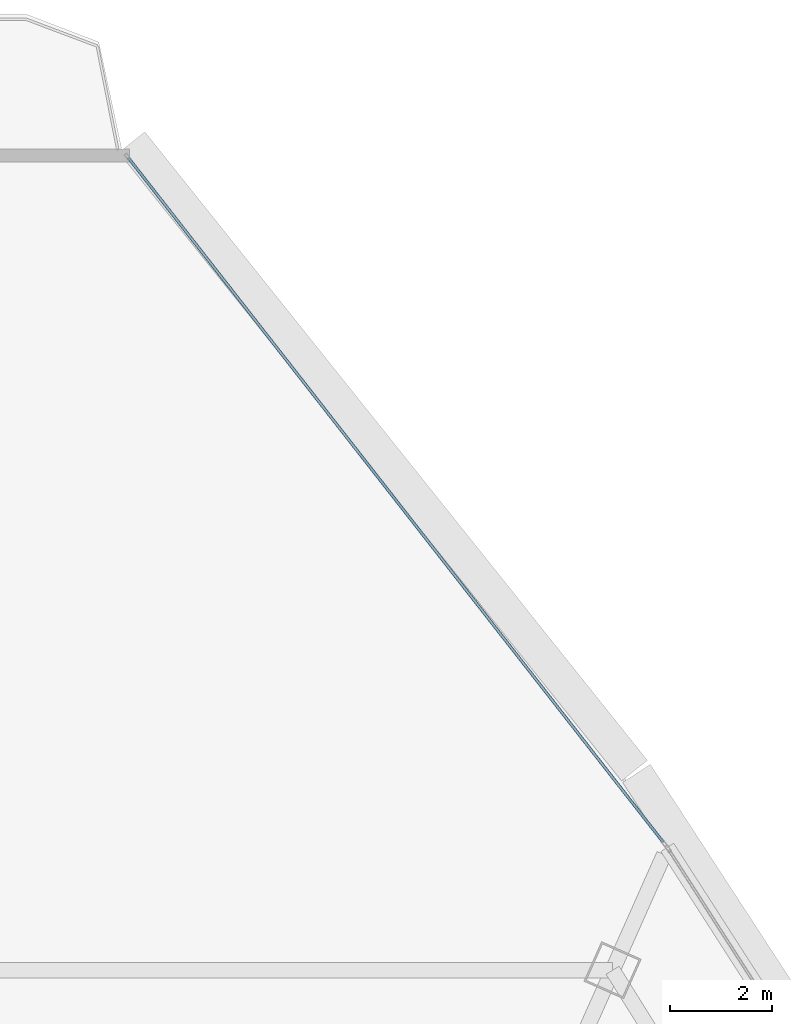
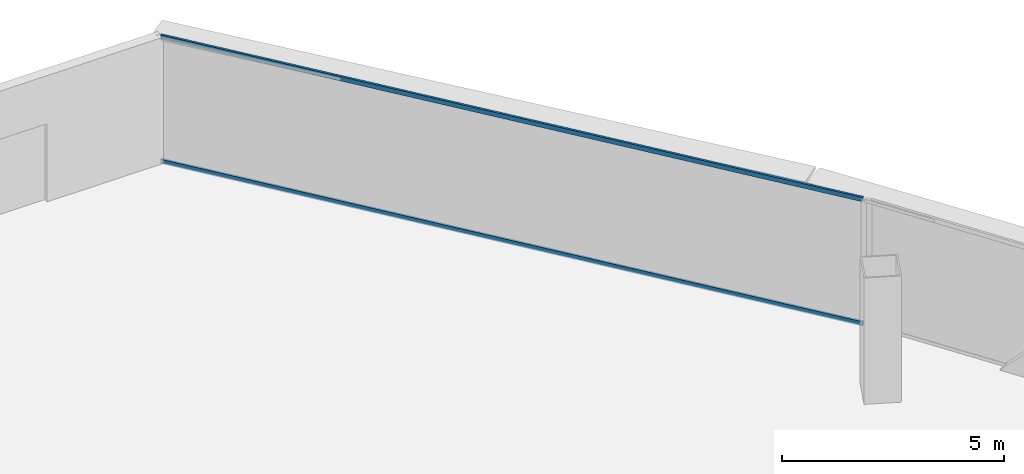
# One storey, part 24 of 36: 2 members, 1 element without a shape of its own.
"""IFC4 building model written with IfcOpenShell, lengths in metres."""

from ifc_helpers import new_model, si_unit, direction, frame, origin, origin_2d, place, context, subcontext, project, spatial, hollow_rectangle, extrude, source, transform, mapped, material, layer, layer_set, material_profile, profile_set, type_object, element, aggregate, save


model = new_model("IFC4")

# Units and contexts
model_context = context("Model", 3, precision=1e-05, world=origin(), true_north=direction((0.0, 1.0)))
body_context = subcontext(model_context, "Body", "Model", "MODEL_VIEW")
ifc_project = project(units=[si_unit("LENGTHUNIT", "METRE"), si_unit("AREAUNIT", "SQUARE_METRE"), si_unit("VOLUMEUNIT", "CUBIC_METRE"), si_unit("PLANEANGLEUNIT", "RADIAN"), si_unit("MASSUNIT", "GRAM", prefix="KILO"), si_unit("THERMODYNAMICTEMPERATUREUNIT", "KELVIN"), si_unit("POWERUNIT", "WATT")], contexts=[model_context])

# Site, building, storey
site_placement = place(None, origin())
site = spatial("IfcSite", under=ifc_project, at=site_placement, CompositionType="ELEMENT")
building_placement = place(site_placement, origin())
building = spatial("IfcBuilding", under=site, at=building_placement, Name="Yunzhuo Pagoda Commons", CompositionType="ELEMENT")
storey_placement = place(building_placement, frame((0.0, 0.0, 244.530029296875)))
storey = spatial("IfcBuildingStorey", under=building, at=storey_placement, Name="L61", CompositionType="ELEMENT", Elevation=244.530029296875)

# Curtain wall, members
ifc_material = material(Name="Anodized aluminium 6063-T6", Category="aluminium")
ifc_layer = layer(ifc_material, 0.139892578125)
ifc_layer_set = layer_set([ifc_layer], Name="Anodized aluminium 6063-T6")
curtain_wall_type = type_object("IfcCurtainWallType", Name="CW-HI High-Zone Ribbon Curtain Wall", PredefinedType="NOTDEFINED", material=ifc_layer_set)
curtain_wall_placement = place(storey_placement, origin())
curtain_wall = element("IfcCurtainWall", 1, at=curtain_wall_placement, inside=storey, type_object=curtain_wall_type, Name="L61 curtain wall CW-L61-F2B5", PredefinedType="NOTDEFINED")
ifc_material_profile = material_profile(ifc_material, hollow_rectangle(XDim=0.054931640625, YDim=0.1201171875, WallThickness=0.00341796875, at=origin_2d()), Name="Anodized aluminium 6063-T6")
ifc_profile_set = profile_set([ifc_material_profile], Name="Anodized aluminium 6063-T6")
member_type = type_object("IfcMemberType", Name="CW-HI-T Transom RHS 120x55x3.5", PredefinedType="USERDEFINED", material=ifc_profile_set)
shared_shape = source(origin(), body_context, "Body", "SweptSolid", [
    extrude(hollow_rectangle(XDim=0.054931640625, YDim=0.1201171875, WallThickness=0.00341796875, at=origin_2d()), origin(), (0.0, 0.0, 1.0), 17.037109375),
])
member_1_placement = place(storey_placement, frame((62.39697265625, 66.328857421875, 0.027587890625), z_axis=(-0.615800034083, 0.787902480021, 0.0), x_axis=(-0.787902480021, -0.615800034083, 0.0)))
member_1 = element("IfcMember", 2, at=member_1_placement, type_object=member_type, Name="CW transom 1.1", ObjectType="TRANSOM", PredefinedType="USERDEFINED", context=body_context, shape_type="MappedRepresentation", body=[
    mapped(shared_shape, transform((0.0, 0.0, 0.0), scale=1.0)),
])
member_2_placement = place(storey_placement, frame((62.39697265625, 66.328857421875, 3.4423828125), z_axis=(-0.615800034083, 0.787902480021, 0.0), x_axis=(-0.787902480021, -0.615800034083, 0.0)))
member_2 = element("IfcMember", 3, at=member_2_placement, type_object=member_type, Name="CW transom 1.2", ObjectType="TRANSOM", PredefinedType="USERDEFINED", context=body_context, shape_type="MappedRepresentation", body=[
    mapped(shared_shape, transform((0.0, 0.0, 0.0), scale=1.0)),
])
aggregate(curtain_wall, [member_1, member_2])

save(model, "model.ifc")
